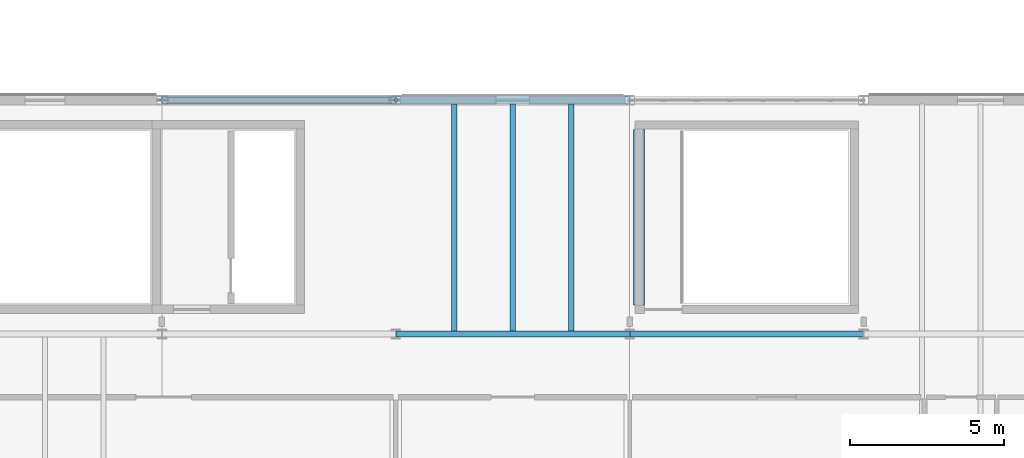
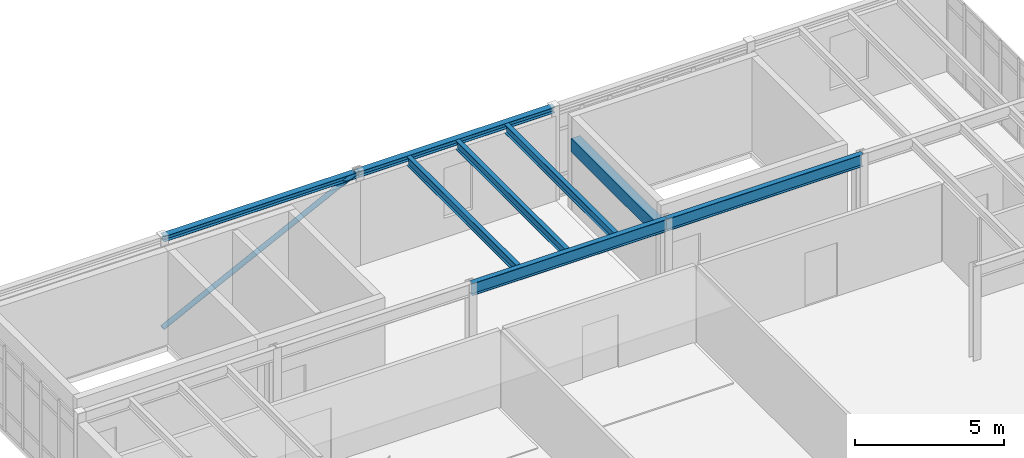
# One storey, part 40 of 114: 8 beams, 1 member.
"""IFC4 building model written with IfcOpenShell, lengths in metres."""

from ifc_helpers import new_model, si_unit, direction, frame, origin, origin_2d, place, context, subcontext, project, spatial, rectangle, hollow_circle, i_section, extrude, material, material_profile, profile_set, type_object, element, save


model = new_model("IFC4")

# Units and contexts
model_context = context("Model", 3, precision=1e-05, world=origin(), true_north=direction((0.0, 1.0)))
body_context = subcontext(model_context, "Body", "Model", "MODEL_VIEW")
ifc_project = project(units=[si_unit("LENGTHUNIT", "METRE"), si_unit("AREAUNIT", "SQUARE_METRE"), si_unit("VOLUMEUNIT", "CUBIC_METRE"), si_unit("PLANEANGLEUNIT", "RADIAN"), si_unit("MASSUNIT", "GRAM", prefix="KILO")], contexts=[model_context])

# Site, building, storey
site_placement = place(None, origin())
site = spatial("IfcSite", under=ifc_project, at=site_placement, CompositionType="ELEMENT")
building_placement = place(site_placement, origin())
building = spatial("IfcBuilding", under=site, at=building_placement, Name="Montecoro Central Library", CompositionType="ELEMENT")
storey_placement = place(building_placement, frame((0.0, 0.0, 13.260009765625)))
storey = spatial("IfcBuildingStorey", under=building, at=storey_placement, Name="L03", CompositionType="ELEMENT", Elevation=13.260009765625)

# Beams
ifc_material_1 = material(Name="Steel S355", Category="steel")
ifc_material_profile_1 = material_profile(ifc_material_1, i_section(OverallWidth=0.199951171875, OverallDepth=0.5, WebThickness=0.01025390625, FlangeThickness=0.01611328125, at=origin_2d()), Name="IPE 500")
ifc_profile_set_1 = profile_set([ifc_material_profile_1], Name="Steel S355")
beam_type_1 = type_object("IfcBeamType", Name="BM-G-IPE500", PredefinedType="USERDEFINED", material=ifc_profile_set_1)
beam_1_placement = place(storey_placement, frame((20.205078125, 103.800048828125, 3.574951171875), z_axis=(1.0, 0.0, 0.0), x_axis=(0.0, 1.0, 0.0)))
element("IfcBeam", 1, at=beam_1_placement, inside=storey, type_object=beam_type_1, Name="V4-L03-BX-34-P", ObjectType="GIRDER", PredefinedType="USERDEFINED", context=body_context, shape_type="SweptSolid", body=[
    extrude(i_section(OverallWidth=0.199951171875, OverallDepth=0.5, WebThickness=0.01025390625, FlangeThickness=0.01611328125, at=origin_2d()), origin(), (0.0, 0.0, 1.0), 7.58984375),
])
beam_2_placement = place(storey_placement, frame((27.804931640625, 103.800048828125, 3.574951171875), z_axis=(1.0, 0.0, 0.0), x_axis=(0.0, 1.0, 0.0)))
element("IfcBeam", 2, at=beam_2_placement, inside=storey, type_object=beam_type_1, Name="V4-L03-BX-45-P", ObjectType="GIRDER", PredefinedType="USERDEFINED", context=body_context, shape_type="SweptSolid", body=[
    extrude(i_section(OverallWidth=0.199951171875, OverallDepth=0.5, WebThickness=0.01025390625, FlangeThickness=0.01611328125, at=origin_2d()), origin(), (0.0, 0.0, 1.0), 7.590087890625),
])
ifc_material_profile_2 = material_profile(ifc_material_1, i_section(OverallWidth=0.169921875, OverallDepth=0.360107421875, WebThickness=0.008056640625, FlangeThickness=0.0126953125, at=origin_2d()), Name="IPE 360")
ifc_profile_set_2 = profile_set([ifc_material_profile_2], Name="Steel S355")
beam_type_2 = type_object("IfcBeamType", Name="BM-J-IPE360", PredefinedType="JOIST", material=ifc_profile_set_2)
for number, where, z_axis, x_axis, name in (
    (3, (22.10009765625, 103.89697265625, 3.64501953125), (0.0, 1.0, 0.0), (-1.0, 0.0, 0.0), "V4-L03-JS-34-PQ-1"),
    (4, (24.0, 103.89697265625, 3.64501953125), (0.0, 1.0, 0.0), (-1.0, 0.0, 0.0), "V4-L03-JS-34-PQ-2"),
    (5, (25.89990234375, 103.89697265625, 3.64501953125), (0.0, 1.0, 0.0), (-1.0, 0.0, 0.0), "V4-L03-JS-34-PQ-3"),
):
    element("IfcBeam", number, at=place(storey_placement, frame(where, z_axis=z_axis, x_axis=x_axis)), inside=storey, type_object=beam_type_2, Name=name, PredefinedType="JOIST", context=body_context, shape_type="SweptSolid", body=[
        extrude(i_section(OverallWidth=0.169921875, OverallDepth=0.360107421875, WebThickness=0.008056640625, FlangeThickness=0.0126953125, at=origin_2d()), origin(), (0.0, 0.0, 1.0), 7.385986328125),
    ])
ifc_material_2 = material(Name="Concrete C35/45", Category="concrete")
ifc_material_profile_3 = material_profile(ifc_material_2, rectangle(XDim=0.35009765625, YDim=0.550048828125, at=origin_2d()), Name="RC LNT 550x350")
ifc_profile_set_3 = profile_set([ifc_material_profile_3], Name="Concrete C35/45")
beam_type_3 = type_object("IfcBeamType", Name="BM-LN-RC04", PredefinedType="LINTEL", material=ifc_profile_set_3)
beam_3_placement = place(storey_placement, frame((28.10009765625, 104.75, 2.72509765625), z_axis=(0.0, 1.0, 0.0), x_axis=(-1.0, 0.0, 0.0)))
element("IfcBeam", 6, at=beam_3_placement, inside=storey, type_object=beam_type_3, Name="C9-L03-LNT", PredefinedType="LINTEL", context=body_context, shape_type="SweptSolid", body=[
    extrude(rectangle(XDim=0.35009765625, YDim=0.550048828125, at=origin_2d()), origin(), (0.0, 0.0, 1.0), 5.699951171875),
])
ifc_material_profile_4 = material_profile(ifc_material_1, i_section(OverallWidth=0.239990234375, OverallDepth=0.22998046875, WebThickness=0.007568359375, FlangeThickness=0.011962890625, at=origin_2d()), Name="HEA 240")
ifc_profile_set_4 = profile_set([ifc_material_profile_4], Name="Steel S355")
beam_type_4 = type_object("IfcBeamType", Name="BM-SP-HEA240", PredefinedType="SPANDREL", material=ifc_profile_set_4)
beam_4_placement = place(storey_placement, frame((12.60498046875, 111.39990234375, 3.7099609375), z_axis=(1.0, 0.0, 0.0), x_axis=(0.0, 1.0, 0.0)))
element("IfcBeam", 7, at=beam_4_placement, inside=storey, type_object=beam_type_4, Name="V4-L03-BX-23-Q", PredefinedType="SPANDREL", context=body_context, shape_type="SweptSolid", body=[
    extrude(i_section(OverallWidth=0.239990234375, OverallDepth=0.22998046875, WebThickness=0.007568359375, FlangeThickness=0.011962890625, at=origin_2d()), origin(), (0.0, 0.0, 1.0), 7.590087890625),
])
beam_5_placement = place(storey_placement, frame((20.205078125, 111.39990234375, 3.7099609375), z_axis=(1.0, 0.0, 0.0), x_axis=(0.0, 1.0, 0.0)))
element("IfcBeam", 8, at=beam_5_placement, inside=storey, type_object=beam_type_4, Name="V4-L03-BX-34-Q", PredefinedType="SPANDREL", context=body_context, shape_type="SweptSolid", body=[
    extrude(i_section(OverallWidth=0.239990234375, OverallDepth=0.22998046875, WebThickness=0.007568359375, FlangeThickness=0.011962890625, at=origin_2d()), origin(), (0.0, 0.0, 1.0), 7.58984375),
])

# Member
ifc_material_profile_5 = material_profile(ifc_material_1, hollow_circle(Radius=0.096923828125, WallThickness=0.008056640625, at=origin_2d()), Name="CHS 193.7x8.0")
ifc_profile_set_5 = profile_set([ifc_material_profile_5], Name="Steel S355")
member_type = type_object("IfcMemberType", Name="MB-BR-CHS194", PredefinedType="BRACE", material=ifc_profile_set_5)
member_placement = place(storey_placement, frame((12.60009765625, 111.39990234375, 0.010009765625), z_axis=(0.894662738831, 0.0, 0.446742189353), x_axis=(0.0, 1.0, 0.0)))
element("IfcMember", 9, at=member_placement, inside=storey, type_object=member_type, Name="V4-L03-BRN1", PredefinedType="BRACE", context=body_context, shape_type="SweptSolid", body=[
    extrude(hollow_circle(Radius=0.096923828125, WallThickness=0.008056640625, at=origin_2d()), origin(), (0.0, 0.0, 1.0), 8.49462890625),
])

save(model, "model.ifc")
